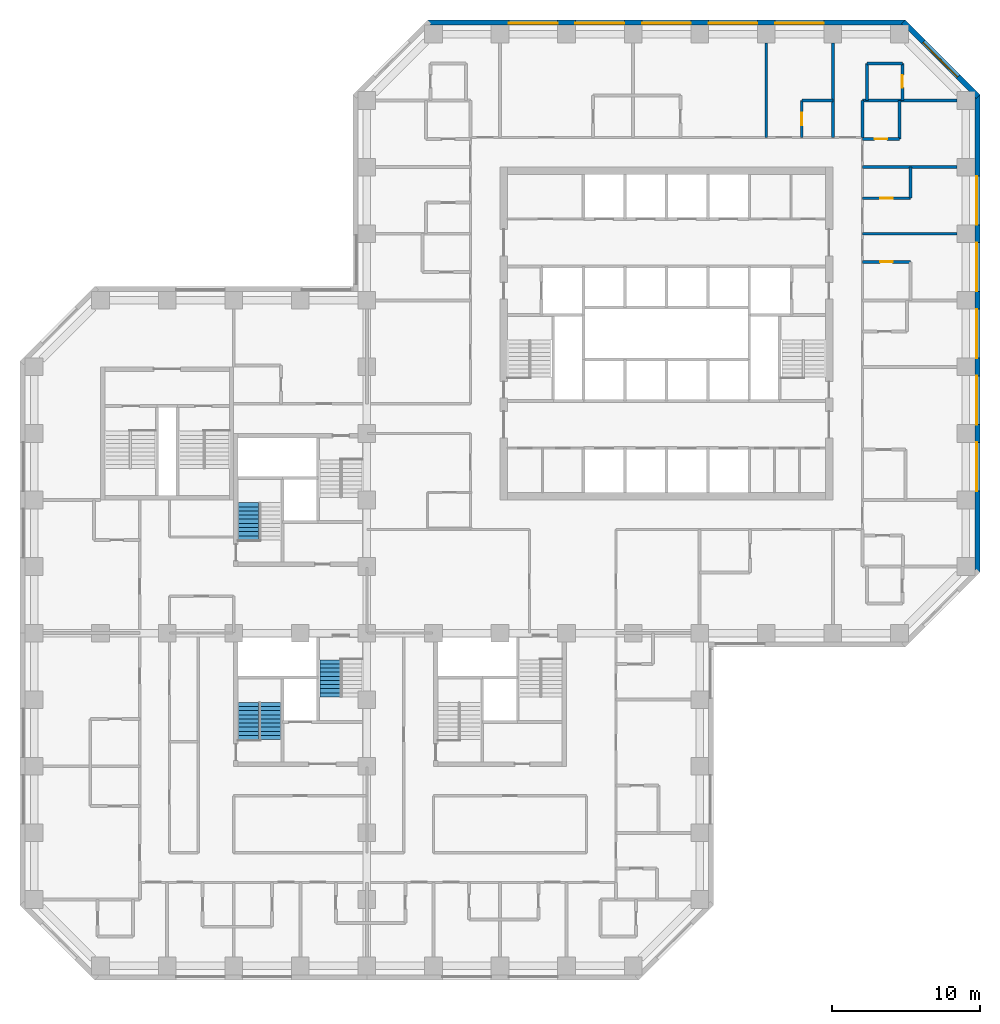
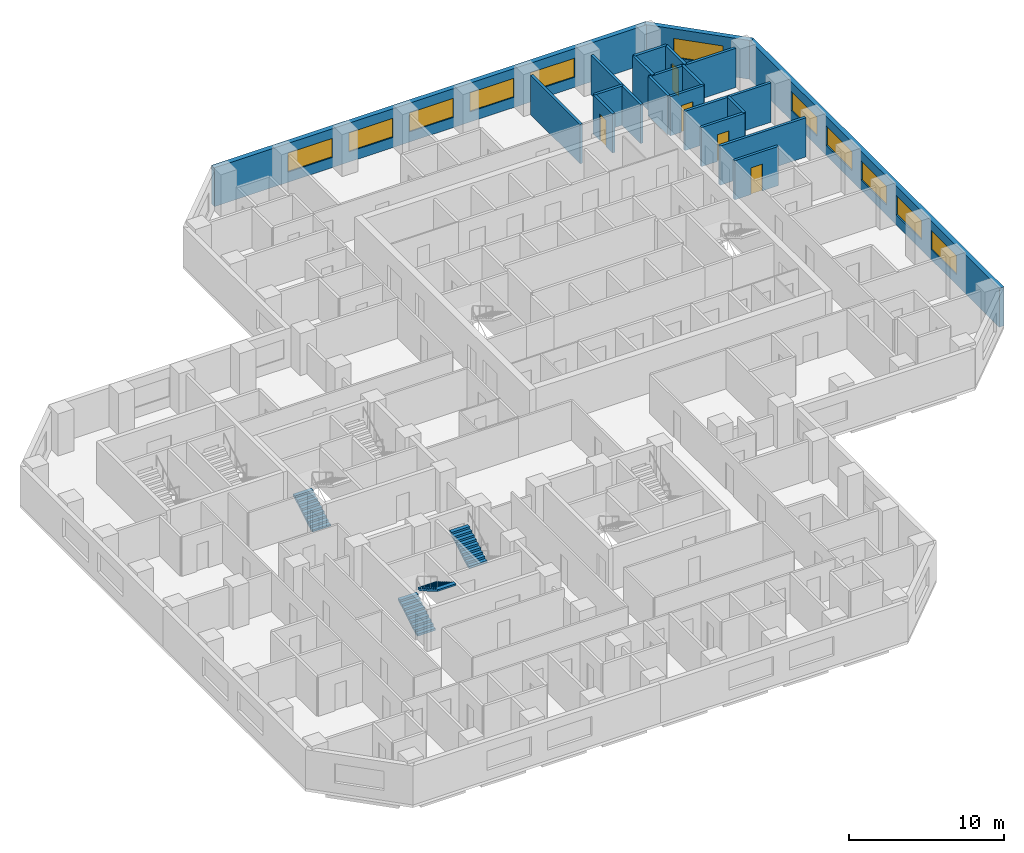
# One storey, part 10 of 12: 19 walls, 11 windows, 5 doors, 4 stair flights, 16 openings, 3 elements without a shape of their own.
"""IFC4 building model written with IfcOpenShell, lengths in metres."""

from ifc_helpers import new_model, si_unit, direction, frame, frame_2d, origin, place, context, subcontext, project, spatial, polyline, rectangle, outline, extrude, material, layer, layer_set, constituent, constituent_set, type_object, element, fill, aggregate, save


model = new_model("IFC4")

# Units and contexts
model_context = context("Model", 3, precision=1e-05, world=origin(), true_north=direction((0.0, 1.0)))
body_context = subcontext(model_context, "Body", "Model", "MODEL_VIEW")
ifc_project = project(units=[si_unit("LENGTHUNIT", "METRE"), si_unit("AREAUNIT", "SQUARE_METRE"), si_unit("VOLUMEUNIT", "CUBIC_METRE"), si_unit("PLANEANGLEUNIT", "RADIAN"), si_unit("MASSUNIT", "GRAM", prefix="KILO")], contexts=[model_context])

# Site, building, storey
site_placement = place(None, origin())
site = spatial("IfcSite", under=ifc_project, at=site_placement, CompositionType="ELEMENT")
building_placement = place(site_placement, origin())
building = spatial("IfcBuilding", under=site, at=building_placement, Name="Quoin Convention Tower", CompositionType="ELEMENT")
storey_placement = place(building_placement, frame((0.0, 0.0, 29.699951171875)))
storey = spatial("IfcBuildingStorey", under=building, at=storey_placement, Name="L06", CompositionType="ELEMENT", Elevation=29.699951171875)

# Wall, openings, windows
ifc_material_1 = material(Name="Brick masonry", Category="masonry")
ifc_layer_1 = layer(ifc_material_1, 0.35009765625)
ifc_layer_set_1 = layer_set([ifc_layer_1], Name="Brick masonry")
wall_type_1 = type_object("IfcWallType", Name="Brick facade wall", PredefinedType="STANDARD", material=ifc_layer_set_1)
wall_1_placement = place(storey_placement, frame((77.27490234375, 44.6064453125, 0.0), z_axis=(0.0, 0.0, 1.0), x_axis=(0.0, 1.0, 0.0)))
wall_1 = element("IfcWall", 1, at=wall_1_placement, inside=storey, type_object=wall_type_1, Name="fw-L06-76500_45000", PredefinedType="STANDARD", context=body_context, shape_type="SweptSolid", body=[
    extrude(rectangle(XDim=32.287109375, YDim=0.35009765625, at=frame_2d((16.1435546875, 0.0))), origin(), (0.0, 0.0, 1.0), 3.054931640625),
])
opening_1_placement = place(wall_1_placement, frame((5.493408203125, 0.0, 0.800048828125)))
opening_1 = element("IfcOpeningElement", 2, at=opening_1_placement, cuts=wall_1, Name="Opening W-01", PredefinedType="OPENING", context=body_context, shape_type="SweptSolid", body=[
    extrude(rectangle(XDim=3.300048828125, YDim=1.5, at=frame_2d((1.64990234375, 0.75))), frame((0.0, 0.18505859375, 0.0), z_axis=(0.0, -1.0, 0.0), x_axis=(1.0, 0.0, 0.0)), (0.0, 0.0, 1.0), 0.3701171875),
])
opening_2_placement = place(wall_1_placement, frame((9.993408203125, 0.0, 0.800048828125)))
opening_2 = element("IfcOpeningElement", 3, at=opening_2_placement, cuts=wall_1, Name="Opening W-01", PredefinedType="OPENING", context=body_context, shape_type="SweptSolid", body=[
    extrude(rectangle(XDim=3.300048828125, YDim=1.5, at=frame_2d((1.64990234375, 0.75))), frame((0.0, 0.18505859375, 0.0), z_axis=(0.0, -1.0, 0.0), x_axis=(1.0, 0.0, 0.0)), (0.0, 0.0, 1.0), 0.3701171875),
])
opening_3_placement = place(wall_1_placement, frame((14.493408203125, 0.0, 0.800048828125)))
opening_3 = element("IfcOpeningElement", 4, at=opening_3_placement, cuts=wall_1, Name="Opening W-01", PredefinedType="OPENING", context=body_context, shape_type="SweptSolid", body=[
    extrude(rectangle(XDim=3.300048828125, YDim=1.5, at=frame_2d((1.64990234375, 0.75))), frame((0.0, 0.18505859375, 0.0), z_axis=(0.0, -1.0, 0.0), x_axis=(1.0, 0.0, 0.0)), (0.0, 0.0, 1.0), 0.3701171875),
])
opening_4_placement = place(wall_1_placement, frame((18.993408203125, 0.0, 0.800048828125)))
opening_4 = element("IfcOpeningElement", 5, at=opening_4_placement, cuts=wall_1, Name="Opening W-01", PredefinedType="OPENING", context=body_context, shape_type="SweptSolid", body=[
    extrude(rectangle(XDim=3.300048828125, YDim=1.5, at=frame_2d((1.64990234375, 0.75))), frame((0.0, 0.18505859375, 0.0), z_axis=(0.0, -1.0, 0.0), x_axis=(1.0, 0.0, 0.0)), (0.0, 0.0, 1.0), 0.3701171875),
])
opening_5_placement = place(wall_1_placement, frame((23.493408203125, 0.0, 0.800048828125)))
opening_5 = element("IfcOpeningElement", 6, at=opening_5_placement, cuts=wall_1, Name="Opening W-01", PredefinedType="OPENING", context=body_context, shape_type="SweptSolid", body=[
    extrude(rectangle(XDim=3.300048828125, YDim=1.5, at=frame_2d((1.64990234375, 0.75))), frame((0.0, 0.18505859375, 0.0), z_axis=(0.0, -1.0, 0.0), x_axis=(1.0, 0.0, 0.0)), (0.0, 0.0, 1.0), 0.3701171875),
])
ifc_material_2 = material(Name="Aluminium", Category="aluminium")
ifc_constituent_1 = constituent(ifc_material_2, Name="Frame")
ifc_material_3 = material(Name="Insulated glass", Category="glass")
ifc_constituent_2 = constituent(ifc_material_3, Name="Glazing")
ifc_constituent_set = constituent_set(constituents=[ifc_constituent_1, ifc_constituent_2], Name="Aluminium")
window_type = type_object("IfcWindowType", Name="Hotel strip window", PartitioningType="DOUBLE_PANEL_VERTICAL", PredefinedType="WINDOW", material=ifc_constituent_set)
window_1_placement = place(opening_1_placement, origin())
window_1 = element("IfcWindow", 7, at=window_1_placement, inside=storey, type_object=window_type, Name="win-L06-77275_51750", OverallHeight=1.5, OverallWidth=3.300048828125, PartitioningType="SINGLE_PANEL", PredefinedType="WINDOW", context=body_context, shape_type="SweptSolid", body=[
    extrude(rectangle(XDim=3.300048828125, YDim=1.5, at=frame_2d((1.64990234375, 0.75))), frame((0.0, 0.0849609375, 0.0), z_axis=(0.0, -1.0, 0.0), x_axis=(1.0, 0.0, 0.0)), (0.0, 0.0, 1.0), 0.06005859375),
])
fill(opening_1, window_1)
window_2_placement = place(opening_2_placement, origin())
window_2 = element("IfcWindow", 8, at=window_2_placement, inside=storey, type_object=window_type, Name="win-L06-77275_56250", OverallHeight=1.5, OverallWidth=3.300048828125, PartitioningType="SINGLE_PANEL", PredefinedType="WINDOW", context=body_context, shape_type="SweptSolid", body=[
    extrude(rectangle(XDim=3.300048828125, YDim=1.5, at=frame_2d((1.64990234375, 0.75))), frame((0.0, 0.0849609375, 0.0), z_axis=(0.0, -1.0, 0.0), x_axis=(1.0, 0.0, 0.0)), (0.0, 0.0, 1.0), 0.06005859375),
])
fill(opening_2, window_2)
window_3_placement = place(opening_3_placement, origin())
window_3 = element("IfcWindow", 9, at=window_3_placement, inside=storey, type_object=window_type, Name="win-L06-77275_60750", OverallHeight=1.5, OverallWidth=3.300048828125, PartitioningType="SINGLE_PANEL", PredefinedType="WINDOW", context=body_context, shape_type="SweptSolid", body=[
    extrude(rectangle(XDim=3.300048828125, YDim=1.5, at=frame_2d((1.64990234375, 0.75))), frame((0.0, 0.0849609375, 0.0), z_axis=(0.0, -1.0, 0.0), x_axis=(1.0, 0.0, 0.0)), (0.0, 0.0, 1.0), 0.06005859375),
])
fill(opening_3, window_3)
window_4_placement = place(opening_4_placement, origin())
window_4 = element("IfcWindow", 10, at=window_4_placement, inside=storey, type_object=window_type, Name="win-L06-77275_65250", OverallHeight=1.5, OverallWidth=3.300048828125, PartitioningType="SINGLE_PANEL", PredefinedType="WINDOW", context=body_context, shape_type="SweptSolid", body=[
    extrude(rectangle(XDim=3.300048828125, YDim=1.5, at=frame_2d((1.64990234375, 0.75))), frame((0.0, 0.0849609375, 0.0), z_axis=(0.0, -1.0, 0.0), x_axis=(1.0, 0.0, 0.0)), (0.0, 0.0, 1.0), 0.06005859375),
])
fill(opening_4, window_4)
window_5_placement = place(opening_5_placement, origin())
window_5 = element("IfcWindow", 11, at=window_5_placement, inside=storey, type_object=window_type, Name="win-L06-77275_69750", OverallHeight=1.5, OverallWidth=3.300048828125, PartitioningType="SINGLE_PANEL", PredefinedType="WINDOW", context=body_context, shape_type="SweptSolid", body=[
    extrude(rectangle(XDim=3.300048828125, YDim=1.5, at=frame_2d((1.64990234375, 0.75))), frame((0.0, 0.0849609375, 0.0), z_axis=(0.0, -1.0, 0.0), x_axis=(1.0, 0.0, 0.0)), (0.0, 0.0, 1.0), 0.06005859375),
])
fill(opening_5, window_5)

# Wall, opening, window
wall_2_placement = place(storey_placement, frame((77.326416015625, 76.769775390625, 0.0), z_axis=(0.0, 0.0, 1.0), x_axis=(-0.707106781187, 0.707106781187, 0.0)))
wall_2 = element("IfcWall", 12, at=wall_2_placement, inside=storey, type_object=wall_type_1, Name="fw-L06-76500_76500", PredefinedType="STANDARD", context=body_context, shape_type="SweptSolid", body=[
    extrude(rectangle(XDim=7.151123046875, YDim=0.35009765625, at=frame_2d((3.57568359375, 0.0))), origin(), (0.0, 0.0, 1.0), 3.054931640625),
])
opening_6_placement = place(wall_2_placement, frame((1.925537109375, 0.0, 0.800048828125)))
opening_6 = element("IfcOpeningElement", 13, at=opening_6_placement, cuts=wall_2, Name="Opening W-01", PredefinedType="OPENING", context=body_context, shape_type="SweptSolid", body=[
    extrude(rectangle(XDim=3.300048828125, YDim=1.5, at=frame_2d((1.64990234375, 0.75))), frame((0.0, 0.18505859375, 0.0), z_axis=(0.0, -1.0, 0.0), x_axis=(1.0, 0.0, 0.0)), (0.0, 0.0, 1.0), 0.3701171875),
])
window_6_placement = place(opening_6_placement, origin())
window_6 = element("IfcWindow", 14, at=window_6_placement, inside=storey, type_object=window_type, Name="win-L06-74798_79298", OverallHeight=1.5, OverallWidth=3.300048828125, PartitioningType="SINGLE_PANEL", PredefinedType="WINDOW", context=body_context, shape_type="SweptSolid", body=[
    extrude(rectangle(XDim=3.300048828125, YDim=1.5, at=frame_2d((1.64990234375, 0.75))), frame((0.0, 0.0849609375, 0.0), z_axis=(0.0, -1.0, 0.0), x_axis=(1.0, 0.0, 0.0)), (0.0, 0.0, 1.0), 0.06005859375),
])
fill(opening_6, window_6)

# Wall, openings, windows
wall_3_placement = place(storey_placement, frame((72.3935546875, 81.77490234375, 0.0), z_axis=(0.0, 0.0, 1.0), x_axis=(-1.0, 0.0, 0.0)))
wall_3 = element("IfcWall", 15, at=wall_3_placement, inside=storey, type_object=wall_type_1, Name="fw-L06-72000_81000", PredefinedType="STANDARD", context=body_context, shape_type="SweptSolid", body=[
    extrude(rectangle(XDim=32.287109375, YDim=0.35009765625, at=frame_2d((16.1435546875, 0.0))), origin(), (0.0, 0.0, 1.0), 3.054931640625),
])
opening_7_placement = place(wall_3_placement, frame((5.493408203125, 0.0, 0.800048828125)))
opening_7 = element("IfcOpeningElement", 16, at=opening_7_placement, cuts=wall_3, Name="Opening W-01", PredefinedType="OPENING", context=body_context, shape_type="SweptSolid", body=[
    extrude(rectangle(XDim=3.300048828125, YDim=1.5, at=frame_2d((1.64990234375, 0.75))), frame((0.0, 0.18505859375, 0.0), z_axis=(0.0, -1.0, 0.0), x_axis=(1.0, 0.0, 0.0)), (0.0, 0.0, 1.0), 0.3701171875),
])
opening_8_placement = place(wall_3_placement, frame((9.993408203125, 0.0, 0.800048828125)))
opening_8 = element("IfcOpeningElement", 17, at=opening_8_placement, cuts=wall_3, Name="Opening W-01", PredefinedType="OPENING", context=body_context, shape_type="SweptSolid", body=[
    extrude(rectangle(XDim=3.300048828125, YDim=1.5, at=frame_2d((1.64990234375, 0.75))), frame((0.0, 0.18505859375, 0.0), z_axis=(0.0, -1.0, 0.0), x_axis=(1.0, 0.0, 0.0)), (0.0, 0.0, 1.0), 0.3701171875),
])
opening_9_placement = place(wall_3_placement, frame((14.493408203125, 0.0, 0.800048828125)))
opening_9 = element("IfcOpeningElement", 18, at=opening_9_placement, cuts=wall_3, Name="Opening W-01", PredefinedType="OPENING", context=body_context, shape_type="SweptSolid", body=[
    extrude(rectangle(XDim=3.300048828125, YDim=1.5, at=frame_2d((1.64990234375, 0.75))), frame((0.0, 0.18505859375, 0.0), z_axis=(0.0, -1.0, 0.0), x_axis=(1.0, 0.0, 0.0)), (0.0, 0.0, 1.0), 0.3701171875),
])
opening_10_placement = place(wall_3_placement, frame((18.993408203125, 0.0, 0.800048828125)))
opening_10 = element("IfcOpeningElement", 19, at=opening_10_placement, cuts=wall_3, Name="Opening W-01", PredefinedType="OPENING", context=body_context, shape_type="SweptSolid", body=[
    extrude(rectangle(XDim=3.300048828125, YDim=1.5, at=frame_2d((1.64990234375, 0.75))), frame((0.0, 0.18505859375, 0.0), z_axis=(0.0, -1.0, 0.0), x_axis=(1.0, 0.0, 0.0)), (0.0, 0.0, 1.0), 0.3701171875),
])
opening_11_placement = place(wall_3_placement, frame((23.493408203125, 0.0, 0.800048828125)))
opening_11 = element("IfcOpeningElement", 20, at=opening_11_placement, cuts=wall_3, Name="Opening W-01", PredefinedType="OPENING", context=body_context, shape_type="SweptSolid", body=[
    extrude(rectangle(XDim=3.300048828125, YDim=1.5, at=frame_2d((1.64990234375, 0.75))), frame((0.0, 0.18505859375, 0.0), z_axis=(0.0, -1.0, 0.0), x_axis=(1.0, 0.0, 0.0)), (0.0, 0.0, 1.0), 0.3701171875),
])
window_7_placement = place(opening_7_placement, origin())
window_7 = element("IfcWindow", 21, at=window_7_placement, inside=storey, type_object=window_type, Name="win-L06-65250_81775", OverallHeight=1.5, OverallWidth=3.300048828125, PartitioningType="SINGLE_PANEL", PredefinedType="WINDOW", context=body_context, shape_type="SweptSolid", body=[
    extrude(rectangle(XDim=3.300048828125, YDim=1.5, at=frame_2d((1.64990234375, 0.75))), frame((0.0, 0.0849609375, 0.0), z_axis=(0.0, -1.0, 0.0), x_axis=(1.0, 0.0, 0.0)), (0.0, 0.0, 1.0), 0.06005859375),
])
fill(opening_7, window_7)
window_8_placement = place(opening_8_placement, origin())
window_8 = element("IfcWindow", 22, at=window_8_placement, inside=storey, type_object=window_type, Name="win-L06-60750_81775", OverallHeight=1.5, OverallWidth=3.300048828125, PartitioningType="SINGLE_PANEL", PredefinedType="WINDOW", context=body_context, shape_type="SweptSolid", body=[
    extrude(rectangle(XDim=3.300048828125, YDim=1.5, at=frame_2d((1.64990234375, 0.75))), frame((0.0, 0.0849609375, 0.0), z_axis=(0.0, -1.0, 0.0), x_axis=(1.0, 0.0, 0.0)), (0.0, 0.0, 1.0), 0.06005859375),
])
fill(opening_8, window_8)
window_9_placement = place(opening_9_placement, origin())
window_9 = element("IfcWindow", 23, at=window_9_placement, inside=storey, type_object=window_type, Name="win-L06-56250_81775", OverallHeight=1.5, OverallWidth=3.300048828125, PartitioningType="SINGLE_PANEL", PredefinedType="WINDOW", context=body_context, shape_type="SweptSolid", body=[
    extrude(rectangle(XDim=3.300048828125, YDim=1.5, at=frame_2d((1.64990234375, 0.75))), frame((0.0, 0.0849609375, 0.0), z_axis=(0.0, -1.0, 0.0), x_axis=(1.0, 0.0, 0.0)), (0.0, 0.0, 1.0), 0.06005859375),
])
fill(opening_9, window_9)
window_10_placement = place(opening_10_placement, origin())
window_10 = element("IfcWindow", 24, at=window_10_placement, inside=storey, type_object=window_type, Name="win-L06-51750_81775", OverallHeight=1.5, OverallWidth=3.300048828125, PartitioningType="SINGLE_PANEL", PredefinedType="WINDOW", context=body_context, shape_type="SweptSolid", body=[
    extrude(rectangle(XDim=3.300048828125, YDim=1.5, at=frame_2d((1.64990234375, 0.75))), frame((0.0, 0.0849609375, 0.0), z_axis=(0.0, -1.0, 0.0), x_axis=(1.0, 0.0, 0.0)), (0.0, 0.0, 1.0), 0.06005859375),
])
fill(opening_10, window_10)
window_11_placement = place(opening_11_placement, origin())
window_11 = element("IfcWindow", 25, at=window_11_placement, inside=storey, type_object=window_type, Name="win-L06-47250_81775", OverallHeight=1.5, OverallWidth=3.300048828125, PartitioningType="SINGLE_PANEL", PredefinedType="WINDOW", context=body_context, shape_type="SweptSolid", body=[
    extrude(rectangle(XDim=3.300048828125, YDim=1.5, at=frame_2d((1.64990234375, 0.75))), frame((0.0, 0.0849609375, 0.0), z_axis=(0.0, -1.0, 0.0), x_axis=(1.0, 0.0, 0.0)), (0.0, 0.0, 1.0), 0.06005859375),
])
fill(opening_11, window_11)

# Wall, opening, door
ifc_material_4 = material(Name="Concrete C50", Category="concrete")
ifc_layer_2 = layer(ifc_material_4, 0.199951171875)
ifc_layer_set_2 = layer_set([ifc_layer_2], Name="Concrete C50")
wall_type_2 = type_object("IfcWallType", Name="RC party wall", PredefinedType="SOLIDWALL", material=ifc_layer_set_2)
wall_4_placement = place(storey_placement, frame((69.5, 65.60009765625, 0.0), z_axis=(0.0, 0.0, 1.0), x_axis=(1.0, 0.0, 0.0)))
wall_4 = element("IfcWall", 26, at=wall_4_placement, inside=storey, type_object=wall_type_2, Name="pw-L06-112", PredefinedType="SOLIDWALL", context=body_context, shape_type="SweptSolid", body=[
    extrude(rectangle(XDim=3.25, YDim=0.199951171875, at=frame_2d((1.625, 0.0))), origin(), (0.0, 0.0, 1.0), 3.080078125),
])
opening_12_placement = place(wall_4_placement, frame((1.199951171875, 0.0, 0.0)))
opening_12 = element("IfcOpeningElement", 27, at=opening_12_placement, cuts=wall_4, Name="Opening DHOTEL-B-63", PredefinedType="OPENING", context=body_context, shape_type="SweptSolid", body=[
    extrude(rectangle(XDim=0.85009765625, YDim=2.10009765625, at=frame_2d((0.425048828125, 1.050048828125))), frame((0.0, 0.10986328125, 0.0), z_axis=(0.0, -1.0, 0.0), x_axis=(1.0, 0.0, 0.0)), (0.0, 0.0, 1.0), 0.219970703125),
])
ifc_material_5 = material(Name="Steel door leaf", Category="steel")
door_type = type_object("IfcDoorType", Name="Bathroom door", OperationType="SINGLE_SWING_LEFT", PredefinedType="DOOR", material=ifc_material_5)
door_1_placement = place(opening_12_placement, origin())
door_1 = element("IfcDoor", 28, at=door_1_placement, inside=storey, type_object=door_type, Name="dr-L06-048", OperationType="SINGLE_SWING_LEFT", OverallHeight=2.10009765625, OverallWidth=0.85009765625, PredefinedType="DOOR", context=body_context, shape_type="SweptSolid", body=[
    extrude(rectangle(XDim=0.85009765625, YDim=2.10009765625, at=frame_2d((0.425048828125, 1.050048828125))), frame((0.0, 0.02490234375, 0.0), z_axis=(0.0, -1.0, 0.0), x_axis=(1.0, 0.0, 0.0)), (0.0, 0.0, 1.0), 0.050048828125),
])
fill(opening_12, door_1)

# Wall
wall_5_placement = place(storey_placement, frame((69.5, 67.5, 0.0), z_axis=(0.0, 0.0, 1.0), x_axis=(1.0, 0.0, 0.0)))
element("IfcWall", 29, at=wall_5_placement, inside=storey, type_object=wall_type_2, Name="pw-L06-115", PredefinedType="SOLIDWALL", context=body_context, shape_type="SweptSolid", body=[
    extrude(rectangle(XDim=6.39990234375, YDim=0.199951171875, at=frame_2d((3.199951171875, 0.0))), origin(), (0.0, 0.0, 1.0), 3.080078125),
])

# Wall, opening, door
wall_6_placement = place(storey_placement, frame((69.5, 69.89990234375, 0.0), z_axis=(0.0, 0.0, 1.0), x_axis=(1.0, 0.0, 0.0)))
wall_6 = element("IfcWall", 30, at=wall_6_placement, inside=storey, type_object=wall_type_2, Name="pw-L06-117", PredefinedType="SOLIDWALL", context=body_context, shape_type="SweptSolid", body=[
    extrude(rectangle(XDim=3.25, YDim=0.199951171875, at=frame_2d((1.625, 0.0))), origin(), (0.0, 0.0, 1.0), 3.080078125),
])
opening_13_placement = place(wall_6_placement, frame((1.199951171875, 0.0, 0.0)))
opening_13 = element("IfcOpeningElement", 31, at=opening_13_placement, cuts=wall_6, Name="Opening DHOTEL-B-65", PredefinedType="OPENING", context=body_context, shape_type="SweptSolid", body=[
    extrude(rectangle(XDim=0.85009765625, YDim=2.10009765625, at=frame_2d((0.425048828125, 1.050048828125))), frame((0.0, 0.10986328125, 0.0), z_axis=(0.0, -1.0, 0.0), x_axis=(1.0, 0.0, 0.0)), (0.0, 0.0, 1.0), 0.219970703125),
])
door_2_placement = place(opening_13_placement, frame((0.85009765625, 0.0, 0.0), z_axis=(0.0, 0.0, 1.0), x_axis=(-1.0, 0.0, 0.0)))
door_2 = element("IfcDoor", 32, at=door_2_placement, inside=storey, type_object=door_type, Name="dr-L06-046", OperationType="SINGLE_SWING_RIGHT", OverallHeight=2.10009765625, OverallWidth=0.85009765625, PredefinedType="DOOR", context=body_context, shape_type="SweptSolid", body=[
    extrude(rectangle(XDim=0.85009765625, YDim=2.10009765625, at=frame_2d((0.425048828125, 1.050048828125))), frame((0.0, 0.02490234375, 0.0), z_axis=(0.0, -1.0, 0.0), x_axis=(1.0, 0.0, 0.0)), (0.0, 0.0, 1.0), 0.050048828125),
])
fill(opening_13, door_2)

# Walls
wall_7_placement = place(storey_placement, frame((72.75, 69.89990234375, 0.0), z_axis=(0.0, 0.0, 1.0), x_axis=(0.0, 1.0, 0.0)))
element("IfcWall", 33, at=wall_7_placement, inside=storey, type_object=wall_type_2, Name="pw-L06-118", PredefinedType="SOLIDWALL", context=body_context, shape_type="SweptSolid", body=[
    extrude(rectangle(XDim=2.10009765625, YDim=0.199951171875, at=frame_2d((1.050048828125, 0.0))), origin(), (0.0, 0.0, 1.0), 3.080078125),
])
wall_8_placement = place(storey_placement, frame((69.5, 72.0, 0.0), z_axis=(0.0, 0.0, 1.0), x_axis=(1.0, 0.0, 0.0)))
element("IfcWall", 34, at=wall_8_placement, inside=storey, type_object=wall_type_2, Name="pw-L06-120", PredefinedType="SOLIDWALL", context=body_context, shape_type="SweptSolid", body=[
    extrude(rectangle(XDim=6.39990234375, YDim=0.199951171875, at=frame_2d((3.199951171875, 0.0))), origin(), (0.0, 0.0, 1.0), 3.080078125),
])

# Wall, opening, door
wall_9_placement = place(storey_placement, frame((69.5, 73.89990234375, 0.0), z_axis=(0.0, 0.0, 1.0), x_axis=(1.0, 0.0, 0.0)))
wall_9 = element("IfcWall", 35, at=wall_9_placement, inside=storey, type_object=wall_type_2, Name="pw-L06-123", PredefinedType="SOLIDWALL", context=body_context, shape_type="SweptSolid", body=[
    extrude(rectangle(XDim=2.5, YDim=0.199951171875, at=frame_2d((1.25, 0.0))), origin(), (0.0, 0.0, 1.0), 3.080078125),
])
opening_14_placement = place(wall_9_placement, frame((0.824951171875, 0.0, 0.0)))
opening_14 = element("IfcOpeningElement", 36, at=opening_14_placement, cuts=wall_9, Name="Opening DHOTEL-B-67", PredefinedType="OPENING", context=body_context, shape_type="SweptSolid", body=[
    extrude(rectangle(XDim=0.85009765625, YDim=2.10009765625, at=frame_2d((0.425048828125, 1.050048828125))), frame((0.0, 0.10986328125, 0.0), z_axis=(0.0, -1.0, 0.0), x_axis=(1.0, 0.0, 0.0)), (0.0, 0.0, 1.0), 0.219970703125),
])
door_3_placement = place(opening_14_placement, origin())
door_3 = element("IfcDoor", 37, at=door_3_placement, inside=storey, type_object=door_type, Name="dr-L06-044", OperationType="SINGLE_SWING_LEFT", OverallHeight=2.10009765625, OverallWidth=0.85009765625, PredefinedType="DOOR", context=body_context, shape_type="SweptSolid", body=[
    extrude(rectangle(XDim=0.85009765625, YDim=2.10009765625, at=frame_2d((0.425048828125, 1.050048828125))), frame((0.0, 0.02490234375, 0.0), z_axis=(0.0, -1.0, 0.0), x_axis=(1.0, 0.0, 0.0)), (0.0, 0.0, 1.0), 0.050048828125),
])
fill(opening_14, door_3)

# Walls
wall_10_placement = place(storey_placement, frame((72.0, 73.89990234375, 0.0), z_axis=(0.0, 0.0, 1.0), x_axis=(0.0, 1.0, 0.0)))
element("IfcWall", 38, at=wall_10_placement, inside=storey, type_object=wall_type_2, Name="pw-L06-124", PredefinedType="SOLIDWALL", context=body_context, shape_type="SweptSolid", body=[
    extrude(rectangle(XDim=2.60009765625, YDim=0.199951171875, at=frame_2d((1.300048828125, 0.0))), origin(), (0.0, 0.0, 1.0), 3.080078125),
])
wall_11_placement = place(storey_placement, frame((63.0, 74.0, 0.0), z_axis=(0.0, 0.0, 1.0), x_axis=(0.0, 1.0, 0.0)))
element("IfcWall", 39, at=wall_11_placement, inside=storey, type_object=wall_type_2, Name="pw-L06-130", PredefinedType="SOLIDWALL", context=body_context, shape_type="SweptSolid", body=[
    extrude(rectangle(XDim=6.39990234375, YDim=0.199951171875, at=frame_2d((3.199951171875, 0.0))), origin(), (0.0, 0.0, 1.0), 3.080078125),
])

# Wall, opening, door
wall_12_placement = place(storey_placement, frame((65.39990234375, 74.0, 0.0), z_axis=(0.0, 0.0, 1.0), x_axis=(0.0, 1.0, 0.0)))
wall_12 = element("IfcWall", 40, at=wall_12_placement, inside=storey, type_object=wall_type_2, Name="pw-L06-131", PredefinedType="SOLIDWALL", context=body_context, shape_type="SweptSolid", body=[
    extrude(rectangle(XDim=2.5, YDim=0.199951171875, at=frame_2d((1.25, 0.0))), origin(), (0.0, 0.0, 1.0), 3.080078125),
])
opening_15_placement = place(wall_12_placement, frame((0.824951171875, 0.0, 0.0)))
opening_15 = element("IfcOpeningElement", 41, at=opening_15_placement, cuts=wall_12, Name="Opening DHOTEL-B-70", PredefinedType="OPENING", context=body_context, shape_type="SweptSolid", body=[
    extrude(rectangle(XDim=0.85009765625, YDim=2.10009765625, at=frame_2d((0.425048828125, 1.050048828125))), frame((0.0, 0.10986328125, 0.0), z_axis=(0.0, -1.0, 0.0), x_axis=(1.0, 0.0, 0.0)), (0.0, 0.0, 1.0), 0.219970703125),
])
door_4_placement = place(opening_15_placement, frame((0.85009765625, 0.0, 0.0), z_axis=(0.0, 0.0, 1.0), x_axis=(-1.0, 0.0, 0.0)))
door_4 = element("IfcDoor", 42, at=door_4_placement, inside=storey, type_object=door_type, Name="dr-L06-042", OperationType="SINGLE_SWING_RIGHT", OverallHeight=2.10009765625, OverallWidth=0.85009765625, PredefinedType="DOOR", context=body_context, shape_type="SweptSolid", body=[
    extrude(rectangle(XDim=0.85009765625, YDim=2.10009765625, at=frame_2d((0.425048828125, 1.050048828125))), frame((0.0, 0.02490234375, 0.0), z_axis=(0.0, -1.0, 0.0), x_axis=(1.0, 0.0, 0.0)), (0.0, 0.0, 1.0), 0.050048828125),
])
fill(opening_15, door_4)

# Walls
wall_13_placement = place(storey_placement, frame((67.5, 74.0, 0.0), z_axis=(0.0, 0.0, 1.0), x_axis=(0.0, 1.0, 0.0)))
element("IfcWall", 43, at=wall_13_placement, inside=storey, type_object=wall_type_2, Name="pw-L06-132", PredefinedType="SOLIDWALL", context=body_context, shape_type="SweptSolid", body=[
    extrude(rectangle(XDim=6.39990234375, YDim=0.199951171875, at=frame_2d((3.199951171875, 0.0))), origin(), (0.0, 0.0, 1.0), 3.080078125),
])
wall_14_placement = place(storey_placement, frame((69.5, 74.0, 0.0), z_axis=(0.0, 0.0, 1.0), x_axis=(0.0, 1.0, 0.0)))
element("IfcWall", 44, at=wall_14_placement, inside=storey, type_object=wall_type_2, Name="pw-L06-133", PredefinedType="SOLIDWALL", context=body_context, shape_type="SweptSolid", body=[
    extrude(rectangle(XDim=2.5, YDim=0.199951171875, at=frame_2d((1.25, 0.0))), origin(), (0.0, 0.0, 1.0), 3.080078125),
])
wall_15_placement = place(storey_placement, frame((65.39990234375, 76.5, 0.0), z_axis=(0.0, 0.0, 1.0), x_axis=(1.0, 0.0, 0.0)))
element("IfcWall", 45, at=wall_15_placement, inside=storey, type_object=wall_type_2, Name="pw-L06-137", PredefinedType="SOLIDWALL", context=body_context, shape_type="SweptSolid", body=[
    extrude(rectangle(XDim=2.10009765625, YDim=0.199951171875, at=frame_2d((1.050048828125, 0.0))), origin(), (0.0, 0.0, 1.0), 3.080078125),
])
wall_16_placement = place(storey_placement, frame((69.5, 76.5, 0.0), z_axis=(0.0, 0.0, 1.0), x_axis=(1.0, 0.0, 0.0)))
element("IfcWall", 46, at=wall_16_placement, inside=storey, type_object=wall_type_2, Name="pw-L06-138", PredefinedType="SOLIDWALL", context=body_context, shape_type="SweptSolid", body=[
    extrude(rectangle(XDim=6.39990234375, YDim=0.199951171875, at=frame_2d((3.199951171875, 0.0))), origin(), (0.0, 0.0, 1.0), 3.080078125),
])
wall_17_placement = place(storey_placement, frame((69.800048828125, 76.5, 0.0), z_axis=(0.0, 0.0, 1.0), x_axis=(0.0, 1.0, 0.0)))
element("IfcWall", 47, at=wall_17_placement, inside=storey, type_object=wall_type_2, Name="pw-L06-139", PredefinedType="SOLIDWALL", context=body_context, shape_type="SweptSolid", body=[
    extrude(rectangle(XDim=2.5, YDim=0.199951171875, at=frame_2d((1.25, 0.0))), origin(), (0.0, 0.0, 1.0), 3.080078125),
])

# Wall, opening, door
wall_18_placement = place(storey_placement, frame((72.199951171875, 76.5, 0.0), z_axis=(0.0, 0.0, 1.0), x_axis=(0.0, 1.0, 0.0)))
wall_18 = element("IfcWall", 48, at=wall_18_placement, inside=storey, type_object=wall_type_2, Name="pw-L06-140", PredefinedType="SOLIDWALL", context=body_context, shape_type="SweptSolid", body=[
    extrude(rectangle(XDim=2.5, YDim=0.199951171875, at=frame_2d((1.25, 0.0))), origin(), (0.0, 0.0, 1.0), 3.080078125),
])
opening_16_placement = place(wall_18_placement, frame((0.875, 0.0, 0.0)))
opening_16 = element("IfcOpeningElement", 49, at=opening_16_placement, cuts=wall_18, Name="Opening DHOTEL-B-72", PredefinedType="OPENING", context=body_context, shape_type="SweptSolid", body=[
    extrude(rectangle(XDim=0.85009765625, YDim=2.10009765625, at=frame_2d((0.425048828125, 1.050048828125))), frame((0.0, 0.10986328125, 0.0), z_axis=(0.0, -1.0, 0.0), x_axis=(1.0, 0.0, 0.0)), (0.0, 0.0, 1.0), 0.219970703125),
])
door_5_placement = place(opening_16_placement, frame((0.85009765625, 0.0, 0.0), z_axis=(0.0, 0.0, 1.0), x_axis=(-1.0, 0.0, 0.0)))
door_5 = element("IfcDoor", 50, at=door_5_placement, inside=storey, type_object=door_type, Name="dr-L06-066", OperationType="SINGLE_SWING_LEFT", OverallHeight=2.10009765625, OverallWidth=0.85009765625, PredefinedType="DOOR", context=body_context, shape_type="SweptSolid", body=[
    extrude(rectangle(XDim=0.85009765625, YDim=2.10009765625, at=frame_2d((0.425048828125, 1.050048828125))), frame((0.0, 0.02490234375, 0.0), z_axis=(0.0, -1.0, 0.0), x_axis=(1.0, 0.0, 0.0)), (0.0, 0.0, 1.0), 0.050048828125),
])
fill(opening_16, door_5)

# Wall
wall_19_placement = place(storey_placement, frame((69.800048828125, 79.0, 0.0), z_axis=(0.0, 0.0, 1.0), x_axis=(1.0, 0.0, 0.0)))
element("IfcWall", 51, at=wall_19_placement, inside=storey, type_object=wall_type_2, Name="pw-L06-143", PredefinedType="SOLIDWALL", context=body_context, shape_type="SweptSolid", body=[
    extrude(rectangle(XDim=2.39990234375, YDim=0.199951171875, at=frame_2d((1.199951171875, 0.0))), origin(), (0.0, 0.0, 1.0), 3.080078125),
])

# Stair, stair flight
ifc_material_6 = material(Name="Concrete C40", Category="concrete")
stair_type = type_object("IfcStairType", Name="Exit stair two-flight 1350", PredefinedType="HALF_TURN_STAIR", material=ifc_material_6)
stair_1_placement = place(storey_placement, origin())
stair_1 = element("IfcStair", 52, at=stair_1_placement, inside=storey, type_object=stair_type, Name="SD3 L06", PredefinedType="HALF_TURN_STAIR")
stair_flight_type = type_object("IfcStairFlightType", Name="Stair flight 1350", PredefinedType="STRAIGHT", material=ifc_material_6)
stair_flight_1_placement = place(storey_placement, frame((28.0, 46.800048828125, 0.0), z_axis=(0.0, 0.0, 1.0), x_axis=(0.0, 1.0, 0.0)))
stair_flight_1 = element("IfcStairFlight", 53, at=stair_flight_1_placement, type_object=stair_flight_type, Name="ST3 flight 1", NumberOfRisers=10, NumberOfTreads=9, PredefinedType="STRAIGHT", RiserHeight=0.165, TreadLength=0.28, context=body_context, shape_type="SweptSolid", body=[
    extrude(outline(polyline([(0.0, 0.0), (0.0, 0.1650390625), (0.280029296875, 0.1650390625), (0.280029296875, 0.330078125), (0.56005859375, 0.330078125), (0.56005859375, 0.4951171875), (0.840087890625, 0.4951171875), (0.840087890625, 0.659912109375), (1.1201171875, 0.659912109375), (1.1201171875, 0.824951171875), (1.39990234375, 0.824951171875), (1.39990234375, 0.989990234375), (1.679931640625, 0.989990234375), (1.679931640625, 1.155029296875), (1.9599609375, 1.155029296875), (1.9599609375, 1.320068359375), (2.239990234375, 1.320068359375), (2.239990234375, 1.485107421875), (2.52001953125, 1.485107421875), (2.52001953125, 1.64990234375), (2.52001953125, 1.345458984375), (0.236572265625, 0.0), (0.0, 0.0)])), frame((0.0, 0.675048828125, 0.0), z_axis=(0.0, -1.0, 0.0), x_axis=(1.0, 0.0, 0.0)), (0.0, 0.0, 1.0), 1.35009765625),
])
aggregate(stair_1, [stair_flight_1])

# Stair, stair flights
stair_2_placement = place(storey_placement, origin())
stair_2 = element("IfcStair", 54, at=stair_2_placement, inside=storey, type_object=stair_type, Name="SD7 L06", PredefinedType="HALF_TURN_STAIR")
stair_flight_2_placement = place(storey_placement, frame((28.0, 33.300048828125, 0.0), z_axis=(0.0, 0.0, 1.0), x_axis=(0.0, 1.0, 0.0)))
stair_flight_2 = element("IfcStairFlight", 55, at=stair_flight_2_placement, type_object=stair_flight_type, Name="ST7 flight 1", NumberOfRisers=10, NumberOfTreads=9, PredefinedType="STRAIGHT", RiserHeight=0.165, TreadLength=0.28, context=body_context, shape_type="SweptSolid", body=[
    extrude(outline(polyline([(0.0, 0.0), (0.0, 0.1650390625), (0.280029296875, 0.1650390625), (0.280029296875, 0.330078125), (0.56005859375, 0.330078125), (0.56005859375, 0.4951171875), (0.840087890625, 0.4951171875), (0.840087890625, 0.659912109375), (1.1201171875, 0.659912109375), (1.1201171875, 0.824951171875), (1.39990234375, 0.824951171875), (1.39990234375, 0.989990234375), (1.679931640625, 0.989990234375), (1.679931640625, 1.155029296875), (1.9599609375, 1.155029296875), (1.9599609375, 1.320068359375), (2.239990234375, 1.320068359375), (2.239990234375, 1.485107421875), (2.52001953125, 1.485107421875), (2.52001953125, 1.64990234375), (2.52001953125, 1.345458984375), (0.236572265625, 0.0), (0.0, 0.0)])), frame((0.0, 0.675048828125, 0.0), z_axis=(0.0, -1.0, 0.0), x_axis=(1.0, 0.0, 0.0)), (0.0, 0.0, 1.0), 1.35009765625),
])
stair_flight_3_placement = place(storey_placement, frame((29.5, 35.820068359375, 1.650146484375), z_axis=(0.0, 0.0, 1.0), x_axis=(0.0, -1.0, 0.0)))
stair_flight_3 = element("IfcStairFlight", 56, at=stair_flight_3_placement, type_object=stair_flight_type, Name="ST7 flight 2", NumberOfRisers=10, NumberOfTreads=9, PredefinedType="STRAIGHT", RiserHeight=0.165, TreadLength=0.28, context=body_context, shape_type="SweptSolid", body=[
    extrude(outline(polyline([(0.0, 0.0), (0.0, 0.1650390625), (0.280029296875, 0.1650390625), (0.280029296875, 0.330078125), (0.56005859375, 0.330078125), (0.56005859375, 0.4951171875), (0.840087890625, 0.4951171875), (0.840087890625, 0.659912109375), (1.1201171875, 0.659912109375), (1.1201171875, 0.824951171875), (1.39990234375, 0.824951171875), (1.39990234375, 0.989990234375), (1.679931640625, 0.989990234375), (1.679931640625, 1.155029296875), (1.9599609375, 1.155029296875), (1.9599609375, 1.320068359375), (2.239990234375, 1.320068359375), (2.239990234375, 1.485107421875), (2.52001953125, 1.485107421875), (2.52001953125, 1.64990234375), (2.52001953125, 1.345458984375), (0.236572265625, 0.0), (0.0, 0.0)])), frame((0.0, 0.675048828125, 0.0), z_axis=(0.0, -1.0, 0.0), x_axis=(1.0, 0.0, 0.0)), (0.0, 0.0, 1.0), 1.35009765625),
])
aggregate(stair_2, [stair_flight_2, stair_flight_3])

# Stair, stair flight
stair_3_placement = place(storey_placement, origin())
stair_3 = element("IfcStair", 57, at=stair_3_placement, inside=storey, type_object=stair_type, Name="SD8 L06", PredefinedType="HALF_TURN_STAIR")
stair_flight_4_placement = place(storey_placement, frame((33.5, 36.179931640625, 1.650146484375), z_axis=(0.0, 0.0, 1.0), x_axis=(0.0, 1.0, 0.0)))
stair_flight_4 = element("IfcStairFlight", 58, at=stair_flight_4_placement, type_object=stair_flight_type, Name="ST8 flight 2", NumberOfRisers=10, NumberOfTreads=9, PredefinedType="STRAIGHT", RiserHeight=0.165, TreadLength=0.28, context=body_context, shape_type="SweptSolid", body=[
    extrude(outline(polyline([(0.0, 0.0), (0.0, 0.1650390625), (0.280029296875, 0.1650390625), (0.280029296875, 0.330078125), (0.56005859375, 0.330078125), (0.56005859375, 0.4951171875), (0.840087890625, 0.4951171875), (0.840087890625, 0.659912109375), (1.1201171875, 0.659912109375), (1.1201171875, 0.824951171875), (1.39990234375, 0.824951171875), (1.39990234375, 0.989990234375), (1.679931640625, 0.989990234375), (1.679931640625, 1.155029296875), (1.9599609375, 1.155029296875), (1.9599609375, 1.320068359375), (2.239990234375, 1.320068359375), (2.239990234375, 1.485107421875), (2.52001953125, 1.485107421875), (2.52001953125, 1.64990234375), (2.52001953125, 1.345458984375), (0.236572265625, 0.0), (0.0, 0.0)])), frame((0.0, 0.675048828125, 0.0), z_axis=(0.0, -1.0, 0.0), x_axis=(1.0, 0.0, 0.0)), (0.0, 0.0, 1.0), 1.35009765625),
])
aggregate(stair_3, [stair_flight_4])

save(model, "model.ifc")
